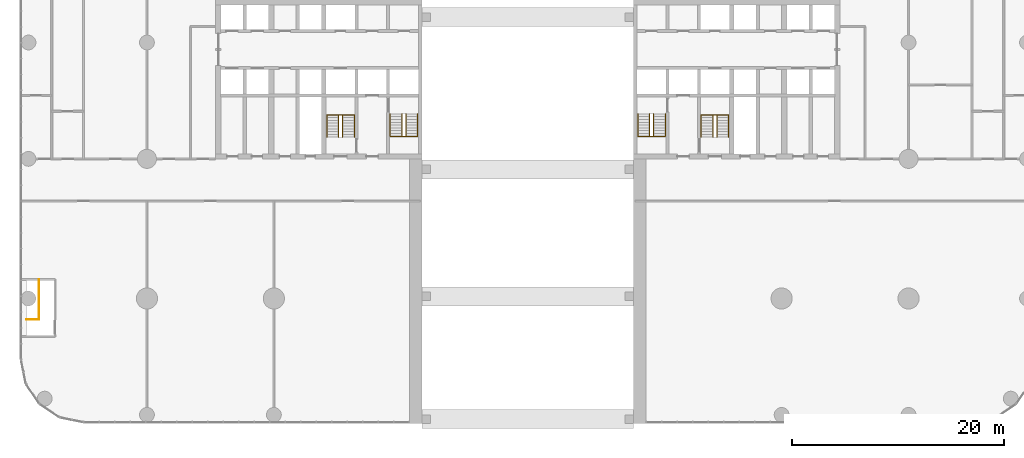
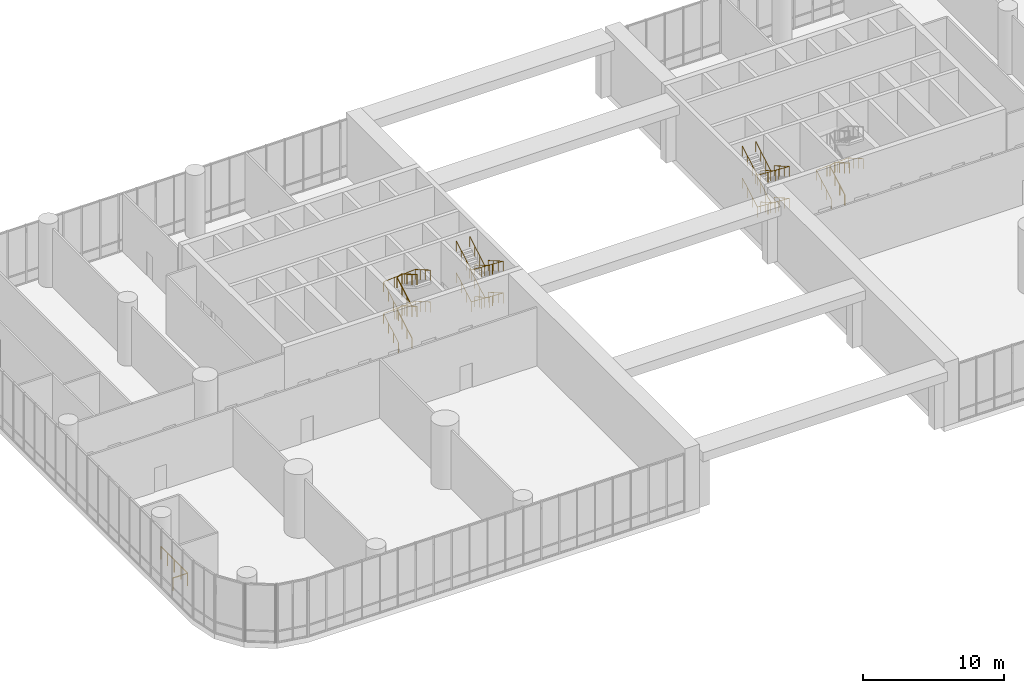
# One storey, part 29 of 30: 15 railings.
"""IFC4 building model written with IfcOpenShell, lengths in metres."""

from ifc_helpers import new_model, si_unit, direction, frame, origin, origin_2d, place, context, subcontext, project, spatial, circle, extrude, material, type_object, element, save


model = new_model("IFC4")

# Units and contexts
model_context = context("Model", 3, precision=1e-05, world=origin(), true_north=direction((0.0, 1.0)))
body_context = subcontext(model_context, "Body", "Model", "MODEL_VIEW")
ifc_project = project(units=[si_unit("LENGTHUNIT", "METRE"), si_unit("AREAUNIT", "SQUARE_METRE"), si_unit("VOLUMEUNIT", "CUBIC_METRE"), si_unit("PLANEANGLEUNIT", "RADIAN"), si_unit("MASSUNIT", "GRAM", prefix="KILO")], contexts=[model_context])

# Site, building, storey
site_placement = place(None, origin())
site = spatial("IfcSite", under=ifc_project, at=site_placement, CompositionType="ELEMENT")
building_placement = place(site_placement, origin())
building = spatial("IfcBuilding", under=site, at=building_placement, Name="Torana Hotel and Residences", CompositionType="ELEMENT")
storey_placement = place(building_placement, frame((0.0, 0.0, 12.5)))
storey = spatial("IfcBuildingStorey", under=building, at=storey_placement, Name="L02", CompositionType="ELEMENT", Elevation=12.5)

# Railings
ifc_material_1 = material(Name="Steel S355", Category="steel")
railing_type_1 = type_object("IfcRailingType", Name="STAIR GUARD GR2 1100", PredefinedType="GUARDRAIL", material=ifc_material_1)
railing_1_placement = place(storey_placement, frame((-47.39990234375, -30.199951171875, 0.0)))
element("IfcRailing", 1, at=railing_1_placement, inside=storey, type_object=railing_type_1, Name="Stair guard ST5 L02", PredefinedType="GUARDRAIL", context=body_context, shape_type="SweptSolid", body=[
    extrude(circle(Radius=0.02392578125, at=origin_2d()), frame((0.0, 0.0, 1.076171875), z_axis=(1.0, 0.0, 0.0), x_axis=(0.0, 1.0, 0.0)), (0.0, 0.0, 1.0), 1.199951171875),
    extrude(circle(Radius=0.02392578125, at=origin_2d()), frame((1.199951171875, 0.0, 1.076171875), z_axis=(0.0, 1.0, 0.0), x_axis=(-1.0, 0.0, 0.0)), (0.0, 0.0, 1.0), 3.800048828125),
    extrude(circle(Radius=0.02099609375, at=origin_2d()), origin(), (0.0, 0.0, 1.0), 1.052001953125),
    extrude(circle(Radius=0.02099609375, at=origin_2d()), frame((1.199951171875, 0.0, 0.0)), (0.0, 0.0, 1.0), 1.052001953125),
    extrude(circle(Radius=0.02099609375, at=origin_2d()), frame((1.199951171875, 0.949951171875, 0.0)), (0.0, 0.0, 1.0), 1.052001953125),
    extrude(circle(Radius=0.02099609375, at=origin_2d()), frame((1.199951171875, 1.89990234375, 0.0)), (0.0, 0.0, 1.0), 1.052001953125),
    extrude(circle(Radius=0.02099609375, at=origin_2d()), frame((1.199951171875, 2.85009765625, 0.0)), (0.0, 0.0, 1.0), 1.052001953125),
    extrude(circle(Radius=0.02099609375, at=origin_2d()), frame((1.199951171875, 3.800048828125, 0.0)), (0.0, 0.0, 1.0), 1.052001953125),
])
ifc_material_2 = material(Name="Stainless steel 316", Category="steel")
railing_type_2 = type_object("IfcRailingType", Name="STAIR HANDRAIL HR1 900", PredefinedType="HANDRAIL", material=ifc_material_2)
railing_2_placement = place(storey_placement, frame((-10.39990234375, -10.75, 0.15283203125)))
element("IfcRailing", 2, at=railing_2_placement, inside=storey, type_object=railing_type_2, Name="Handrail ST1 L02 O1", PredefinedType="HANDRAIL", context=body_context, shape_type="SweptSolid", body=[
    extrude(circle(Radius=0.02392578125, at=origin_2d()), frame((0.0, 0.0, 0.8759765625), z_axis=(0.0, -0.866358268178, 0.499423018252), x_axis=(1.0, 0.0, 0.0)), (0.0, 0.0, 1.0), 2.447265625),
    extrude(circle(Radius=0.02392578125, at=origin_2d()), frame((0.0, -2.1201171875, 2.09814453125), z_axis=(-0.998276957998, 0.0, 0.058678063447), x_axis=(0.0, -1.0, 0.0)), (0.0, 0.0, 1.0), 2.6044921875),
    extrude(circle(Radius=0.02392578125, at=origin_2d()), frame((-2.60009765625, -2.1201171875, 2.2509765625), z_axis=(0.0, 0.866358268178, 0.499423018252), x_axis=(-1.0, 0.0, 0.0)), (0.0, 0.0, 1.0), 2.447265625),
    extrude(circle(Radius=0.02099609375, at=origin_2d()), origin(), (0.0, 0.0, 1.0), 0.851806640625),
    extrude(circle(Radius=0.02099609375, at=origin_2d()), frame((0.0, -0.706787109375, 0.407470703125)), (0.0, 0.0, 1.0), 0.851806640625),
    extrude(circle(Radius=0.02099609375, at=origin_2d()), frame((0.0, -1.413330078125, 0.814697265625)), (0.0, 0.0, 1.0), 0.851806640625),
    extrude(circle(Radius=0.02099609375, at=origin_2d()), frame((0.0, -2.1201171875, 1.22216796875)), (0.0, 0.0, 1.0), 0.851806640625),
    extrude(circle(Radius=0.02099609375, at=origin_2d()), frame((-0.86669921875, -2.1201171875, 1.273193359375)), (0.0, 0.0, 1.0), 0.851806640625),
    extrude(circle(Radius=0.02099609375, at=origin_2d()), frame((-1.7333984375, -2.1201171875, 1.323974609375)), (0.0, 0.0, 1.0), 0.851806640625),
    extrude(circle(Radius=0.02099609375, at=origin_2d()), frame((-2.60009765625, -2.1201171875, 1.375)), (0.0, 0.0, 1.0), 0.851806640625),
    extrude(circle(Radius=0.02099609375, at=origin_2d()), frame((-2.60009765625, -1.413330078125, 1.782470703125)), (0.0, 0.0, 1.0), 0.851806640625),
    extrude(circle(Radius=0.02099609375, at=origin_2d()), frame((-2.60009765625, -0.706787109375, 2.189697265625)), (0.0, 0.0, 1.0), 0.851806640625),
    extrude(circle(Radius=0.02099609375, at=origin_2d()), frame((-2.60009765625, 0.0, 2.59716796875)), (0.0, 0.0, 1.0), 0.851806640625),
])
railing_3_placement = place(storey_placement, frame((-11.5, -10.75, 0.15283203125)))
element("IfcRailing", 3, at=railing_3_placement, inside=storey, type_object=railing_type_2, Name="Handrail ST1 L02 I1", PredefinedType="HANDRAIL", context=body_context, shape_type="SweptSolid", body=[
    extrude(circle(Radius=0.02392578125, at=origin_2d()), frame((0.0, 0.0, 0.8759765625), z_axis=(0.0, -0.866358268178, 0.499423018252), x_axis=(1.0, 0.0, 0.0)), (0.0, 0.0, 1.0), 2.447265625),
    extrude(circle(Radius=0.02392578125, at=origin_2d()), frame((0.0, -2.1201171875, 2.09814453125), z_axis=(-0.934107774737, 0.0, 0.356991127586), x_axis=(0.0, -1.0, 0.0)), (0.0, 0.0, 1.0), 0.42822265625),
    extrude(circle(Radius=0.02392578125, at=origin_2d()), frame((-0.39990234375, -2.1201171875, 2.2509765625), z_axis=(0.0, 0.866358268178, 0.499423018252), x_axis=(-1.0, 0.0, 0.0)), (0.0, 0.0, 1.0), 2.447265625),
    extrude(circle(Radius=0.02099609375, at=origin_2d()), origin(), (0.0, 0.0, 1.0), 0.851806640625),
    extrude(circle(Radius=0.02099609375, at=origin_2d()), frame((0.0, -0.706787109375, 0.407470703125)), (0.0, 0.0, 1.0), 0.851806640625),
    extrude(circle(Radius=0.02099609375, at=origin_2d()), frame((0.0, -1.413330078125, 0.814697265625)), (0.0, 0.0, 1.0), 0.851806640625),
    extrude(circle(Radius=0.02099609375, at=origin_2d()), frame((0.0, -2.1201171875, 1.22216796875)), (0.0, 0.0, 1.0), 0.851806640625),
    extrude(circle(Radius=0.02099609375, at=origin_2d()), frame((-0.39990234375, -2.1201171875, 1.375)), (0.0, 0.0, 1.0), 0.851806640625),
    extrude(circle(Radius=0.02099609375, at=origin_2d()), frame((-0.39990234375, -1.413330078125, 1.782470703125)), (0.0, 0.0, 1.0), 0.851806640625),
    extrude(circle(Radius=0.02099609375, at=origin_2d()), frame((-0.39990234375, -0.706787109375, 2.189697265625)), (0.0, 0.0, 1.0), 0.851806640625),
    extrude(circle(Radius=0.02099609375, at=origin_2d()), frame((-0.39990234375, 0.0, 2.59716796875)), (0.0, 0.0, 1.0), 0.851806640625),
])
railing_4_placement = place(storey_placement, frame((-10.39990234375, -10.75, 2.90283203125)))
element("IfcRailing", 4, at=railing_4_placement, inside=storey, type_object=railing_type_2, Name="Handrail ST1 L02 O2", PredefinedType="HANDRAIL", context=body_context, shape_type="SweptSolid", body=[
    extrude(circle(Radius=0.02392578125, at=origin_2d()), frame((0.0, 0.0, 0.8759765625), z_axis=(0.0, -0.866358268178, 0.499423018252), x_axis=(1.0, 0.0, 0.0)), (0.0, 0.0, 1.0), 2.447265625),
    extrude(circle(Radius=0.02392578125, at=origin_2d()), frame((0.0, -2.1201171875, 2.09814453125), z_axis=(-0.998276957998, 0.0, 0.058678063447), x_axis=(0.0, -1.0, 0.0)), (0.0, 0.0, 1.0), 2.6044921875),
    extrude(circle(Radius=0.02392578125, at=origin_2d()), frame((-2.60009765625, -2.1201171875, 2.2509765625), z_axis=(0.0, 0.866358268178, 0.499423018252), x_axis=(-1.0, 0.0, 0.0)), (0.0, 0.0, 1.0), 2.447265625),
    extrude(circle(Radius=0.02099609375, at=origin_2d()), origin(), (0.0, 0.0, 1.0), 0.851806640625),
    extrude(circle(Radius=0.02099609375, at=origin_2d()), frame((0.0, -0.706787109375, 0.407470703125)), (0.0, 0.0, 1.0), 0.851806640625),
    extrude(circle(Radius=0.02099609375, at=origin_2d()), frame((0.0, -1.413330078125, 0.814697265625)), (0.0, 0.0, 1.0), 0.851806640625),
    extrude(circle(Radius=0.02099609375, at=origin_2d()), frame((0.0, -2.1201171875, 1.22216796875)), (0.0, 0.0, 1.0), 0.851806640625),
    extrude(circle(Radius=0.02099609375, at=origin_2d()), frame((-0.86669921875, -2.1201171875, 1.273193359375)), (0.0, 0.0, 1.0), 0.851806640625),
    extrude(circle(Radius=0.02099609375, at=origin_2d()), frame((-1.7333984375, -2.1201171875, 1.323974609375)), (0.0, 0.0, 1.0), 0.851806640625),
    extrude(circle(Radius=0.02099609375, at=origin_2d()), frame((-2.60009765625, -2.1201171875, 1.375)), (0.0, 0.0, 1.0), 0.851806640625),
    extrude(circle(Radius=0.02099609375, at=origin_2d()), frame((-2.60009765625, -1.413330078125, 1.782470703125)), (0.0, 0.0, 1.0), 0.851806640625),
    extrude(circle(Radius=0.02099609375, at=origin_2d()), frame((-2.60009765625, -0.706787109375, 2.189697265625)), (0.0, 0.0, 1.0), 0.851806640625),
    extrude(circle(Radius=0.02099609375, at=origin_2d()), frame((-2.60009765625, 0.0, 2.59716796875)), (0.0, 0.0, 1.0), 0.851806640625),
])
railing_5_placement = place(storey_placement, frame((-11.5, -10.75, 2.90283203125)))
element("IfcRailing", 5, at=railing_5_placement, inside=storey, type_object=railing_type_2, Name="Handrail ST1 L02 I2", PredefinedType="HANDRAIL", context=body_context, shape_type="SweptSolid", body=[
    extrude(circle(Radius=0.02392578125, at=origin_2d()), frame((0.0, 0.0, 0.8759765625), z_axis=(0.0, -0.866358268178, 0.499423018252), x_axis=(1.0, 0.0, 0.0)), (0.0, 0.0, 1.0), 2.447265625),
    extrude(circle(Radius=0.02392578125, at=origin_2d()), frame((0.0, -2.1201171875, 2.09814453125), z_axis=(-0.934107774737, 0.0, 0.356991127586), x_axis=(0.0, -1.0, 0.0)), (0.0, 0.0, 1.0), 0.42822265625),
    extrude(circle(Radius=0.02392578125, at=origin_2d()), frame((-0.39990234375, -2.1201171875, 2.2509765625), z_axis=(0.0, 0.866358268178, 0.499423018252), x_axis=(-1.0, 0.0, 0.0)), (0.0, 0.0, 1.0), 2.447265625),
    extrude(circle(Radius=0.02099609375, at=origin_2d()), origin(), (0.0, 0.0, 1.0), 0.851806640625),
    extrude(circle(Radius=0.02099609375, at=origin_2d()), frame((0.0, -0.706787109375, 0.407470703125)), (0.0, 0.0, 1.0), 0.851806640625),
    extrude(circle(Radius=0.02099609375, at=origin_2d()), frame((0.0, -1.413330078125, 0.814697265625)), (0.0, 0.0, 1.0), 0.851806640625),
    extrude(circle(Radius=0.02099609375, at=origin_2d()), frame((0.0, -2.1201171875, 1.22216796875)), (0.0, 0.0, 1.0), 0.851806640625),
    extrude(circle(Radius=0.02099609375, at=origin_2d()), frame((-0.39990234375, -2.1201171875, 1.375)), (0.0, 0.0, 1.0), 0.851806640625),
    extrude(circle(Radius=0.02099609375, at=origin_2d()), frame((-0.39990234375, -1.413330078125, 1.782470703125)), (0.0, 0.0, 1.0), 0.851806640625),
    extrude(circle(Radius=0.02099609375, at=origin_2d()), frame((-0.39990234375, -0.706787109375, 2.189697265625)), (0.0, 0.0, 1.0), 0.851806640625),
    extrude(circle(Radius=0.02099609375, at=origin_2d()), frame((-0.39990234375, 0.0, 2.59716796875)), (0.0, 0.0, 1.0), 0.851806640625),
])
railing_6_placement = place(storey_placement, frame((-19.0, -12.949951171875, 0.15283203125)))
element("IfcRailing", 6, at=railing_6_placement, inside=storey, type_object=railing_type_2, Name="Handrail ST2 L02 O1", PredefinedType="HANDRAIL", context=body_context, shape_type="SweptSolid", body=[
    extrude(circle(Radius=0.02392578125, at=origin_2d()), frame((0.0, 0.0, 0.8759765625), z_axis=(0.0, 0.866333381259, 0.49946618756), x_axis=(-1.0, 0.0, 0.0)), (0.0, 0.0, 1.0), 2.447021484375),
    extrude(circle(Radius=0.02392578125, at=origin_2d()), frame((0.0, 2.119873046875, 2.09814453125), z_axis=(0.998276957998, 0.0, 0.058678063447), x_axis=(0.0, 1.0, 0.0)), (0.0, 0.0, 1.0), 2.6044921875),
    extrude(circle(Radius=0.02392578125, at=origin_2d()), frame((2.60009765625, 2.119873046875, 2.2509765625), z_axis=(0.0, -0.866333381259, 0.49946618756), x_axis=(1.0, 0.0, 0.0)), (0.0, 0.0, 1.0), 2.447021484375),
    extrude(circle(Radius=0.02099609375, at=origin_2d()), origin(), (0.0, 0.0, 1.0), 0.851806640625),
    extrude(circle(Radius=0.02099609375, at=origin_2d()), frame((0.0, 0.70654296875, 0.407470703125)), (0.0, 0.0, 1.0), 0.851806640625),
    extrude(circle(Radius=0.02099609375, at=origin_2d()), frame((0.0, 1.413330078125, 0.814697265625)), (0.0, 0.0, 1.0), 0.851806640625),
    extrude(circle(Radius=0.02099609375, at=origin_2d()), frame((0.0, 2.119873046875, 1.22216796875)), (0.0, 0.0, 1.0), 0.851806640625),
    extrude(circle(Radius=0.02099609375, at=origin_2d()), frame((0.86669921875, 2.119873046875, 1.273193359375)), (0.0, 0.0, 1.0), 0.851806640625),
    extrude(circle(Radius=0.02099609375, at=origin_2d()), frame((1.7333984375, 2.119873046875, 1.323974609375)), (0.0, 0.0, 1.0), 0.851806640625),
    extrude(circle(Radius=0.02099609375, at=origin_2d()), frame((2.60009765625, 2.119873046875, 1.375)), (0.0, 0.0, 1.0), 0.851806640625),
    extrude(circle(Radius=0.02099609375, at=origin_2d()), frame((2.60009765625, 1.413330078125, 1.782470703125)), (0.0, 0.0, 1.0), 0.851806640625),
    extrude(circle(Radius=0.02099609375, at=origin_2d()), frame((2.60009765625, 0.70654296875, 2.189697265625)), (0.0, 0.0, 1.0), 0.851806640625),
    extrude(circle(Radius=0.02099609375, at=origin_2d()), frame((2.60009765625, 0.0, 2.59716796875)), (0.0, 0.0, 1.0), 0.851806640625),
])
railing_7_placement = place(storey_placement, frame((-17.89990234375, -12.949951171875, 0.15283203125)))
element("IfcRailing", 7, at=railing_7_placement, inside=storey, type_object=railing_type_2, Name="Handrail ST2 L02 I1", PredefinedType="HANDRAIL", context=body_context, shape_type="SweptSolid", body=[
    extrude(circle(Radius=0.02392578125, at=origin_2d()), frame((0.0, 0.0, 0.8759765625), z_axis=(0.0, 0.866333381259, 0.49946618756), x_axis=(-1.0, 0.0, 0.0)), (0.0, 0.0, 1.0), 2.447021484375),
    extrude(circle(Radius=0.02392578125, at=origin_2d()), frame((0.0, 2.119873046875, 2.09814453125), z_axis=(0.934107774737, 0.0, 0.356991127586), x_axis=(0.0, 1.0, 0.0)), (0.0, 0.0, 1.0), 0.42822265625),
    extrude(circle(Radius=0.02392578125, at=origin_2d()), frame((0.39990234375, 2.119873046875, 2.2509765625), z_axis=(0.0, -0.866333381259, 0.49946618756), x_axis=(1.0, 0.0, 0.0)), (0.0, 0.0, 1.0), 2.447021484375),
    extrude(circle(Radius=0.02099609375, at=origin_2d()), origin(), (0.0, 0.0, 1.0), 0.851806640625),
    extrude(circle(Radius=0.02099609375, at=origin_2d()), frame((0.0, 0.70654296875, 0.407470703125)), (0.0, 0.0, 1.0), 0.851806640625),
    extrude(circle(Radius=0.02099609375, at=origin_2d()), frame((0.0, 1.413330078125, 0.814697265625)), (0.0, 0.0, 1.0), 0.851806640625),
    extrude(circle(Radius=0.02099609375, at=origin_2d()), frame((0.0, 2.119873046875, 1.22216796875)), (0.0, 0.0, 1.0), 0.851806640625),
    extrude(circle(Radius=0.02099609375, at=origin_2d()), frame((0.39990234375, 2.119873046875, 1.375)), (0.0, 0.0, 1.0), 0.851806640625),
    extrude(circle(Radius=0.02099609375, at=origin_2d()), frame((0.39990234375, 1.413330078125, 1.782470703125)), (0.0, 0.0, 1.0), 0.851806640625),
    extrude(circle(Radius=0.02099609375, at=origin_2d()), frame((0.39990234375, 0.70654296875, 2.189697265625)), (0.0, 0.0, 1.0), 0.851806640625),
    extrude(circle(Radius=0.02099609375, at=origin_2d()), frame((0.39990234375, 0.0, 2.59716796875)), (0.0, 0.0, 1.0), 0.851806640625),
])
railing_8_placement = place(storey_placement, frame((-19.0, -12.949951171875, 2.90283203125)))
element("IfcRailing", 8, at=railing_8_placement, inside=storey, type_object=railing_type_2, Name="Handrail ST2 L02 O2", PredefinedType="HANDRAIL", context=body_context, shape_type="SweptSolid", body=[
    extrude(circle(Radius=0.02392578125, at=origin_2d()), frame((0.0, 0.0, 0.8759765625), z_axis=(0.0, 0.866333381259, 0.49946618756), x_axis=(-1.0, 0.0, 0.0)), (0.0, 0.0, 1.0), 2.447021484375),
    extrude(circle(Radius=0.02392578125, at=origin_2d()), frame((0.0, 2.119873046875, 2.09814453125), z_axis=(0.998276957998, 0.0, 0.058678063447), x_axis=(0.0, 1.0, 0.0)), (0.0, 0.0, 1.0), 2.6044921875),
    extrude(circle(Radius=0.02392578125, at=origin_2d()), frame((2.60009765625, 2.119873046875, 2.2509765625), z_axis=(0.0, -0.866333381259, 0.49946618756), x_axis=(1.0, 0.0, 0.0)), (0.0, 0.0, 1.0), 2.447021484375),
    extrude(circle(Radius=0.02099609375, at=origin_2d()), origin(), (0.0, 0.0, 1.0), 0.851806640625),
    extrude(circle(Radius=0.02099609375, at=origin_2d()), frame((0.0, 0.70654296875, 0.407470703125)), (0.0, 0.0, 1.0), 0.851806640625),
    extrude(circle(Radius=0.02099609375, at=origin_2d()), frame((0.0, 1.413330078125, 0.814697265625)), (0.0, 0.0, 1.0), 0.851806640625),
    extrude(circle(Radius=0.02099609375, at=origin_2d()), frame((0.0, 2.119873046875, 1.22216796875)), (0.0, 0.0, 1.0), 0.851806640625),
    extrude(circle(Radius=0.02099609375, at=origin_2d()), frame((0.86669921875, 2.119873046875, 1.273193359375)), (0.0, 0.0, 1.0), 0.851806640625),
    extrude(circle(Radius=0.02099609375, at=origin_2d()), frame((1.7333984375, 2.119873046875, 1.323974609375)), (0.0, 0.0, 1.0), 0.851806640625),
    extrude(circle(Radius=0.02099609375, at=origin_2d()), frame((2.60009765625, 2.119873046875, 1.375)), (0.0, 0.0, 1.0), 0.851806640625),
    extrude(circle(Radius=0.02099609375, at=origin_2d()), frame((2.60009765625, 1.413330078125, 1.782470703125)), (0.0, 0.0, 1.0), 0.851806640625),
    extrude(circle(Radius=0.02099609375, at=origin_2d()), frame((2.60009765625, 0.70654296875, 2.189697265625)), (0.0, 0.0, 1.0), 0.851806640625),
    extrude(circle(Radius=0.02099609375, at=origin_2d()), frame((2.60009765625, 0.0, 2.59716796875)), (0.0, 0.0, 1.0), 0.851806640625),
])
railing_9_placement = place(storey_placement, frame((-17.89990234375, -12.949951171875, 2.90283203125)))
element("IfcRailing", 9, at=railing_9_placement, inside=storey, type_object=railing_type_2, Name="Handrail ST2 L02 I2", PredefinedType="HANDRAIL", context=body_context, shape_type="SweptSolid", body=[
    extrude(circle(Radius=0.02392578125, at=origin_2d()), frame((0.0, 0.0, 0.8759765625), z_axis=(0.0, 0.866333381259, 0.49946618756), x_axis=(-1.0, 0.0, 0.0)), (0.0, 0.0, 1.0), 2.447021484375),
    extrude(circle(Radius=0.02392578125, at=origin_2d()), frame((0.0, 2.119873046875, 2.09814453125), z_axis=(0.934107774737, 0.0, 0.356991127586), x_axis=(0.0, 1.0, 0.0)), (0.0, 0.0, 1.0), 0.42822265625),
    extrude(circle(Radius=0.02392578125, at=origin_2d()), frame((0.39990234375, 2.119873046875, 2.2509765625), z_axis=(0.0, -0.866333381259, 0.49946618756), x_axis=(1.0, 0.0, 0.0)), (0.0, 0.0, 1.0), 2.447021484375),
    extrude(circle(Radius=0.02099609375, at=origin_2d()), origin(), (0.0, 0.0, 1.0), 0.851806640625),
    extrude(circle(Radius=0.02099609375, at=origin_2d()), frame((0.0, 0.70654296875, 0.407470703125)), (0.0, 0.0, 1.0), 0.851806640625),
    extrude(circle(Radius=0.02099609375, at=origin_2d()), frame((0.0, 1.413330078125, 0.814697265625)), (0.0, 0.0, 1.0), 0.851806640625),
    extrude(circle(Radius=0.02099609375, at=origin_2d()), frame((0.0, 2.119873046875, 1.22216796875)), (0.0, 0.0, 1.0), 0.851806640625),
    extrude(circle(Radius=0.02099609375, at=origin_2d()), frame((0.39990234375, 2.119873046875, 1.375)), (0.0, 0.0, 1.0), 0.851806640625),
    extrude(circle(Radius=0.02099609375, at=origin_2d()), frame((0.39990234375, 1.413330078125, 1.782470703125)), (0.0, 0.0, 1.0), 0.851806640625),
    extrude(circle(Radius=0.02099609375, at=origin_2d()), frame((0.39990234375, 0.70654296875, 2.189697265625)), (0.0, 0.0, 1.0), 0.851806640625),
    extrude(circle(Radius=0.02099609375, at=origin_2d()), frame((0.39990234375, 0.0, 2.59716796875)), (0.0, 0.0, 1.0), 0.851806640625),
])
railing_10_placement = place(storey_placement, frame((13.0, -10.75, 0.15283203125)))
element("IfcRailing", 10, at=railing_10_placement, inside=storey, type_object=railing_type_2, Name="Handrail ST3 L02 O1", PredefinedType="HANDRAIL", context=body_context, shape_type="SweptSolid", body=[
    extrude(circle(Radius=0.02392578125, at=origin_2d()), frame((0.0, 0.0, 0.8759765625), z_axis=(0.0, -0.866358268178, 0.499423018252), x_axis=(1.0, 0.0, 0.0)), (0.0, 0.0, 1.0), 2.447265625),
    extrude(circle(Radius=0.02392578125, at=origin_2d()), frame((0.0, -2.1201171875, 2.09814453125), z_axis=(-0.998276957998, 0.0, 0.058678063447), x_axis=(0.0, -1.0, 0.0)), (0.0, 0.0, 1.0), 2.6044921875),
    extrude(circle(Radius=0.02392578125, at=origin_2d()), frame((-2.60009765625, -2.1201171875, 2.2509765625), z_axis=(0.0, 0.866358268178, 0.499423018252), x_axis=(-1.0, 0.0, 0.0)), (0.0, 0.0, 1.0), 2.447265625),
    extrude(circle(Radius=0.02099609375, at=origin_2d()), origin(), (0.0, 0.0, 1.0), 0.851806640625),
    extrude(circle(Radius=0.02099609375, at=origin_2d()), frame((0.0, -0.706787109375, 0.407470703125)), (0.0, 0.0, 1.0), 0.851806640625),
    extrude(circle(Radius=0.02099609375, at=origin_2d()), frame((0.0, -1.413330078125, 0.814697265625)), (0.0, 0.0, 1.0), 0.851806640625),
    extrude(circle(Radius=0.02099609375, at=origin_2d()), frame((0.0, -2.1201171875, 1.22216796875)), (0.0, 0.0, 1.0), 0.851806640625),
    extrude(circle(Radius=0.02099609375, at=origin_2d()), frame((-0.86669921875, -2.1201171875, 1.273193359375)), (0.0, 0.0, 1.0), 0.851806640625),
    extrude(circle(Radius=0.02099609375, at=origin_2d()), frame((-1.7333984375, -2.1201171875, 1.323974609375)), (0.0, 0.0, 1.0), 0.851806640625),
    extrude(circle(Radius=0.02099609375, at=origin_2d()), frame((-2.60009765625, -2.1201171875, 1.375)), (0.0, 0.0, 1.0), 0.851806640625),
    extrude(circle(Radius=0.02099609375, at=origin_2d()), frame((-2.60009765625, -1.413330078125, 1.782470703125)), (0.0, 0.0, 1.0), 0.851806640625),
    extrude(circle(Radius=0.02099609375, at=origin_2d()), frame((-2.60009765625, -0.706787109375, 2.189697265625)), (0.0, 0.0, 1.0), 0.851806640625),
    extrude(circle(Radius=0.02099609375, at=origin_2d()), frame((-2.60009765625, 0.0, 2.59716796875)), (0.0, 0.0, 1.0), 0.851806640625),
])
railing_11_placement = place(storey_placement, frame((11.89990234375, -10.75, 0.15283203125)))
element("IfcRailing", 11, at=railing_11_placement, inside=storey, type_object=railing_type_2, Name="Handrail ST3 L02 I1", PredefinedType="HANDRAIL", context=body_context, shape_type="SweptSolid", body=[
    extrude(circle(Radius=0.02392578125, at=origin_2d()), frame((0.0, 0.0, 0.8759765625), z_axis=(0.0, -0.866358268178, 0.499423018252), x_axis=(1.0, 0.0, 0.0)), (0.0, 0.0, 1.0), 2.447265625),
    extrude(circle(Radius=0.02392578125, at=origin_2d()), frame((0.0, -2.1201171875, 2.09814453125), z_axis=(-0.934107774737, 0.0, 0.356991127586), x_axis=(0.0, -1.0, 0.0)), (0.0, 0.0, 1.0), 0.42822265625),
    extrude(circle(Radius=0.02392578125, at=origin_2d()), frame((-0.39990234375, -2.1201171875, 2.2509765625), z_axis=(0.0, 0.866358268178, 0.499423018252), x_axis=(-1.0, 0.0, 0.0)), (0.0, 0.0, 1.0), 2.447265625),
    extrude(circle(Radius=0.02099609375, at=origin_2d()), origin(), (0.0, 0.0, 1.0), 0.851806640625),
    extrude(circle(Radius=0.02099609375, at=origin_2d()), frame((0.0, -0.706787109375, 0.407470703125)), (0.0, 0.0, 1.0), 0.851806640625),
    extrude(circle(Radius=0.02099609375, at=origin_2d()), frame((0.0, -1.413330078125, 0.814697265625)), (0.0, 0.0, 1.0), 0.851806640625),
    extrude(circle(Radius=0.02099609375, at=origin_2d()), frame((0.0, -2.1201171875, 1.22216796875)), (0.0, 0.0, 1.0), 0.851806640625),
    extrude(circle(Radius=0.02099609375, at=origin_2d()), frame((-0.39990234375, -2.1201171875, 1.375)), (0.0, 0.0, 1.0), 0.851806640625),
    extrude(circle(Radius=0.02099609375, at=origin_2d()), frame((-0.39990234375, -1.413330078125, 1.782470703125)), (0.0, 0.0, 1.0), 0.851806640625),
    extrude(circle(Radius=0.02099609375, at=origin_2d()), frame((-0.39990234375, -0.706787109375, 2.189697265625)), (0.0, 0.0, 1.0), 0.851806640625),
    extrude(circle(Radius=0.02099609375, at=origin_2d()), frame((-0.39990234375, 0.0, 2.59716796875)), (0.0, 0.0, 1.0), 0.851806640625),
])
railing_12_placement = place(storey_placement, frame((13.0, -10.75, 2.90283203125)))
element("IfcRailing", 12, at=railing_12_placement, inside=storey, type_object=railing_type_2, Name="Handrail ST3 L02 O2", PredefinedType="HANDRAIL", context=body_context, shape_type="SweptSolid", body=[
    extrude(circle(Radius=0.02392578125, at=origin_2d()), frame((0.0, 0.0, 0.8759765625), z_axis=(0.0, -0.866358268178, 0.499423018252), x_axis=(1.0, 0.0, 0.0)), (0.0, 0.0, 1.0), 2.447265625),
    extrude(circle(Radius=0.02392578125, at=origin_2d()), frame((0.0, -2.1201171875, 2.09814453125), z_axis=(-0.998276957998, 0.0, 0.058678063447), x_axis=(0.0, -1.0, 0.0)), (0.0, 0.0, 1.0), 2.6044921875),
    extrude(circle(Radius=0.02392578125, at=origin_2d()), frame((-2.60009765625, -2.1201171875, 2.2509765625), z_axis=(0.0, 0.866358268178, 0.499423018252), x_axis=(-1.0, 0.0, 0.0)), (0.0, 0.0, 1.0), 2.447265625),
    extrude(circle(Radius=0.02099609375, at=origin_2d()), origin(), (0.0, 0.0, 1.0), 0.851806640625),
    extrude(circle(Radius=0.02099609375, at=origin_2d()), frame((0.0, -0.706787109375, 0.407470703125)), (0.0, 0.0, 1.0), 0.851806640625),
    extrude(circle(Radius=0.02099609375, at=origin_2d()), frame((0.0, -1.413330078125, 0.814697265625)), (0.0, 0.0, 1.0), 0.851806640625),
    extrude(circle(Radius=0.02099609375, at=origin_2d()), frame((0.0, -2.1201171875, 1.22216796875)), (0.0, 0.0, 1.0), 0.851806640625),
    extrude(circle(Radius=0.02099609375, at=origin_2d()), frame((-0.86669921875, -2.1201171875, 1.273193359375)), (0.0, 0.0, 1.0), 0.851806640625),
    extrude(circle(Radius=0.02099609375, at=origin_2d()), frame((-1.7333984375, -2.1201171875, 1.323974609375)), (0.0, 0.0, 1.0), 0.851806640625),
    extrude(circle(Radius=0.02099609375, at=origin_2d()), frame((-2.60009765625, -2.1201171875, 1.375)), (0.0, 0.0, 1.0), 0.851806640625),
    extrude(circle(Radius=0.02099609375, at=origin_2d()), frame((-2.60009765625, -1.413330078125, 1.782470703125)), (0.0, 0.0, 1.0), 0.851806640625),
    extrude(circle(Radius=0.02099609375, at=origin_2d()), frame((-2.60009765625, -0.706787109375, 2.189697265625)), (0.0, 0.0, 1.0), 0.851806640625),
    extrude(circle(Radius=0.02099609375, at=origin_2d()), frame((-2.60009765625, 0.0, 2.59716796875)), (0.0, 0.0, 1.0), 0.851806640625),
])
railing_13_placement = place(storey_placement, frame((11.89990234375, -10.75, 2.90283203125)))
element("IfcRailing", 13, at=railing_13_placement, inside=storey, type_object=railing_type_2, Name="Handrail ST3 L02 I2", PredefinedType="HANDRAIL", context=body_context, shape_type="SweptSolid", body=[
    extrude(circle(Radius=0.02392578125, at=origin_2d()), frame((0.0, 0.0, 0.8759765625), z_axis=(0.0, -0.866358268178, 0.499423018252), x_axis=(1.0, 0.0, 0.0)), (0.0, 0.0, 1.0), 2.447265625),
    extrude(circle(Radius=0.02392578125, at=origin_2d()), frame((0.0, -2.1201171875, 2.09814453125), z_axis=(-0.934107774737, 0.0, 0.356991127586), x_axis=(0.0, -1.0, 0.0)), (0.0, 0.0, 1.0), 0.42822265625),
    extrude(circle(Radius=0.02392578125, at=origin_2d()), frame((-0.39990234375, -2.1201171875, 2.2509765625), z_axis=(0.0, 0.866358268178, 0.499423018252), x_axis=(-1.0, 0.0, 0.0)), (0.0, 0.0, 1.0), 2.447265625),
    extrude(circle(Radius=0.02099609375, at=origin_2d()), origin(), (0.0, 0.0, 1.0), 0.851806640625),
    extrude(circle(Radius=0.02099609375, at=origin_2d()), frame((0.0, -0.706787109375, 0.407470703125)), (0.0, 0.0, 1.0), 0.851806640625),
    extrude(circle(Radius=0.02099609375, at=origin_2d()), frame((0.0, -1.413330078125, 0.814697265625)), (0.0, 0.0, 1.0), 0.851806640625),
    extrude(circle(Radius=0.02099609375, at=origin_2d()), frame((0.0, -2.1201171875, 1.22216796875)), (0.0, 0.0, 1.0), 0.851806640625),
    extrude(circle(Radius=0.02099609375, at=origin_2d()), frame((-0.39990234375, -2.1201171875, 1.375)), (0.0, 0.0, 1.0), 0.851806640625),
    extrude(circle(Radius=0.02099609375, at=origin_2d()), frame((-0.39990234375, -1.413330078125, 1.782470703125)), (0.0, 0.0, 1.0), 0.851806640625),
    extrude(circle(Radius=0.02099609375, at=origin_2d()), frame((-0.39990234375, -0.706787109375, 2.189697265625)), (0.0, 0.0, 1.0), 0.851806640625),
    extrude(circle(Radius=0.02099609375, at=origin_2d()), frame((-0.39990234375, 0.0, 2.59716796875)), (0.0, 0.0, 1.0), 0.851806640625),
])
railing_14_placement = place(storey_placement, frame((16.39990234375, -12.949951171875, 0.15283203125)))
element("IfcRailing", 14, at=railing_14_placement, inside=storey, type_object=railing_type_2, Name="Handrail ST4 L02 O1", PredefinedType="HANDRAIL", context=body_context, shape_type="SweptSolid", body=[
    extrude(circle(Radius=0.02392578125, at=origin_2d()), frame((0.0, 0.0, 0.8759765625), z_axis=(0.0, 0.866333381259, 0.49946618756), x_axis=(-1.0, 0.0, 0.0)), (0.0, 0.0, 1.0), 2.447021484375),
    extrude(circle(Radius=0.02392578125, at=origin_2d()), frame((0.0, 2.119873046875, 2.09814453125), z_axis=(0.998276957998, 0.0, 0.058678063447), x_axis=(0.0, 1.0, 0.0)), (0.0, 0.0, 1.0), 2.6044921875),
    extrude(circle(Radius=0.02392578125, at=origin_2d()), frame((2.60009765625, 2.119873046875, 2.2509765625), z_axis=(0.0, -0.866333381259, 0.49946618756), x_axis=(1.0, 0.0, 0.0)), (0.0, 0.0, 1.0), 2.447021484375),
    extrude(circle(Radius=0.02099609375, at=origin_2d()), origin(), (0.0, 0.0, 1.0), 0.851806640625),
    extrude(circle(Radius=0.02099609375, at=origin_2d()), frame((0.0, 0.70654296875, 0.407470703125)), (0.0, 0.0, 1.0), 0.851806640625),
    extrude(circle(Radius=0.02099609375, at=origin_2d()), frame((0.0, 1.413330078125, 0.814697265625)), (0.0, 0.0, 1.0), 0.851806640625),
    extrude(circle(Radius=0.02099609375, at=origin_2d()), frame((0.0, 2.119873046875, 1.22216796875)), (0.0, 0.0, 1.0), 0.851806640625),
    extrude(circle(Radius=0.02099609375, at=origin_2d()), frame((0.86669921875, 2.119873046875, 1.273193359375)), (0.0, 0.0, 1.0), 0.851806640625),
    extrude(circle(Radius=0.02099609375, at=origin_2d()), frame((1.7333984375, 2.119873046875, 1.323974609375)), (0.0, 0.0, 1.0), 0.851806640625),
    extrude(circle(Radius=0.02099609375, at=origin_2d()), frame((2.60009765625, 2.119873046875, 1.375)), (0.0, 0.0, 1.0), 0.851806640625),
    extrude(circle(Radius=0.02099609375, at=origin_2d()), frame((2.60009765625, 1.413330078125, 1.782470703125)), (0.0, 0.0, 1.0), 0.851806640625),
    extrude(circle(Radius=0.02099609375, at=origin_2d()), frame((2.60009765625, 0.70654296875, 2.189697265625)), (0.0, 0.0, 1.0), 0.851806640625),
    extrude(circle(Radius=0.02099609375, at=origin_2d()), frame((2.60009765625, 0.0, 2.59716796875)), (0.0, 0.0, 1.0), 0.851806640625),
])
railing_15_placement = place(storey_placement, frame((17.5, -12.949951171875, 0.15283203125)))
element("IfcRailing", 15, at=railing_15_placement, inside=storey, type_object=railing_type_2, Name="Handrail ST4 L02 I1", PredefinedType="HANDRAIL", context=body_context, shape_type="SweptSolid", body=[
    extrude(circle(Radius=0.02392578125, at=origin_2d()), frame((0.0, 0.0, 0.8759765625), z_axis=(0.0, 0.866333381259, 0.49946618756), x_axis=(-1.0, 0.0, 0.0)), (0.0, 0.0, 1.0), 2.447021484375),
    extrude(circle(Radius=0.02392578125, at=origin_2d()), frame((0.0, 2.119873046875, 2.09814453125), z_axis=(0.934107774737, 0.0, 0.356991127586), x_axis=(0.0, 1.0, 0.0)), (0.0, 0.0, 1.0), 0.42822265625),
    extrude(circle(Radius=0.02392578125, at=origin_2d()), frame((0.39990234375, 2.119873046875, 2.2509765625), z_axis=(0.0, -0.866333381259, 0.49946618756), x_axis=(1.0, 0.0, 0.0)), (0.0, 0.0, 1.0), 2.447021484375),
    extrude(circle(Radius=0.02099609375, at=origin_2d()), origin(), (0.0, 0.0, 1.0), 0.851806640625),
    extrude(circle(Radius=0.02099609375, at=origin_2d()), frame((0.0, 0.70654296875, 0.407470703125)), (0.0, 0.0, 1.0), 0.851806640625),
    extrude(circle(Radius=0.02099609375, at=origin_2d()), frame((0.0, 1.413330078125, 0.814697265625)), (0.0, 0.0, 1.0), 0.851806640625),
    extrude(circle(Radius=0.02099609375, at=origin_2d()), frame((0.0, 2.119873046875, 1.22216796875)), (0.0, 0.0, 1.0), 0.851806640625),
    extrude(circle(Radius=0.02099609375, at=origin_2d()), frame((0.39990234375, 2.119873046875, 1.375)), (0.0, 0.0, 1.0), 0.851806640625),
    extrude(circle(Radius=0.02099609375, at=origin_2d()), frame((0.39990234375, 1.413330078125, 1.782470703125)), (0.0, 0.0, 1.0), 0.851806640625),
    extrude(circle(Radius=0.02099609375, at=origin_2d()), frame((0.39990234375, 0.70654296875, 2.189697265625)), (0.0, 0.0, 1.0), 0.851806640625),
    extrude(circle(Radius=0.02099609375, at=origin_2d()), frame((0.39990234375, 0.0, 2.59716796875)), (0.0, 0.0, 1.0), 0.851806640625),
])

save(model, "model.ifc")
